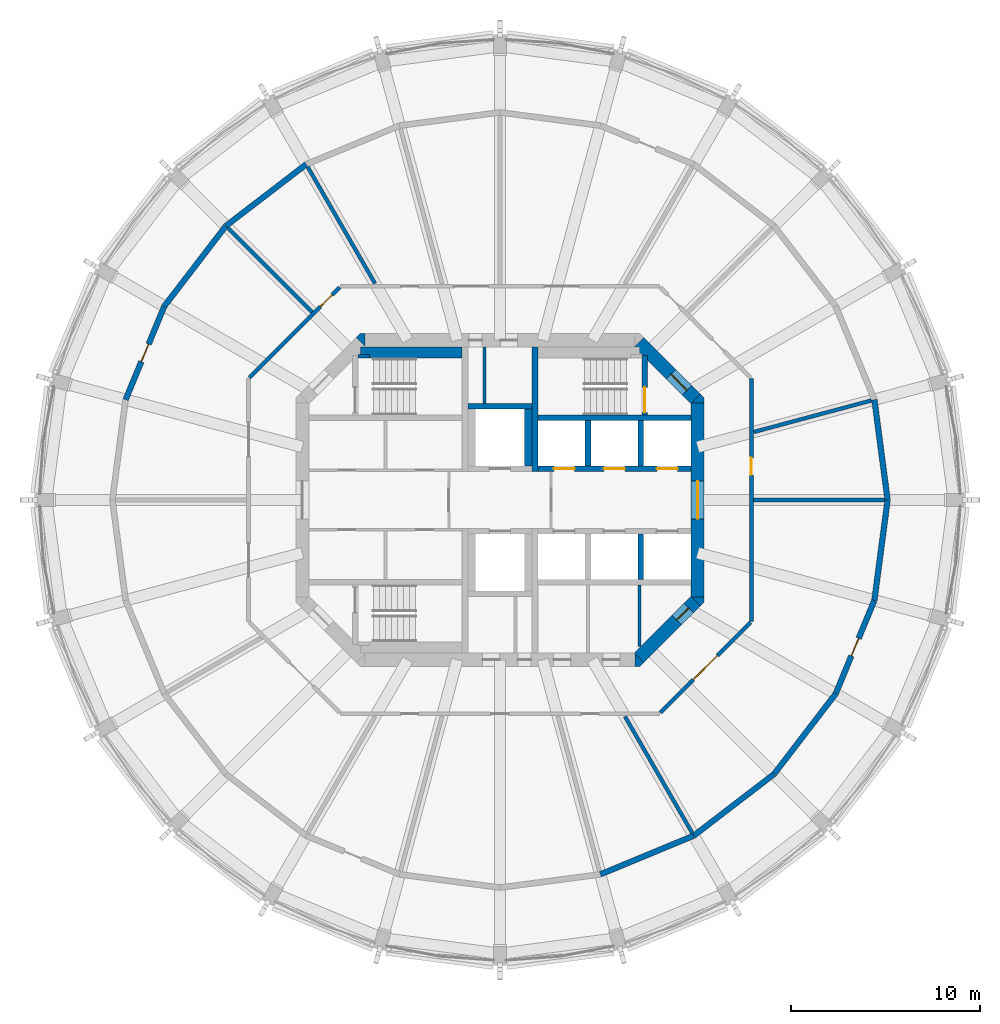
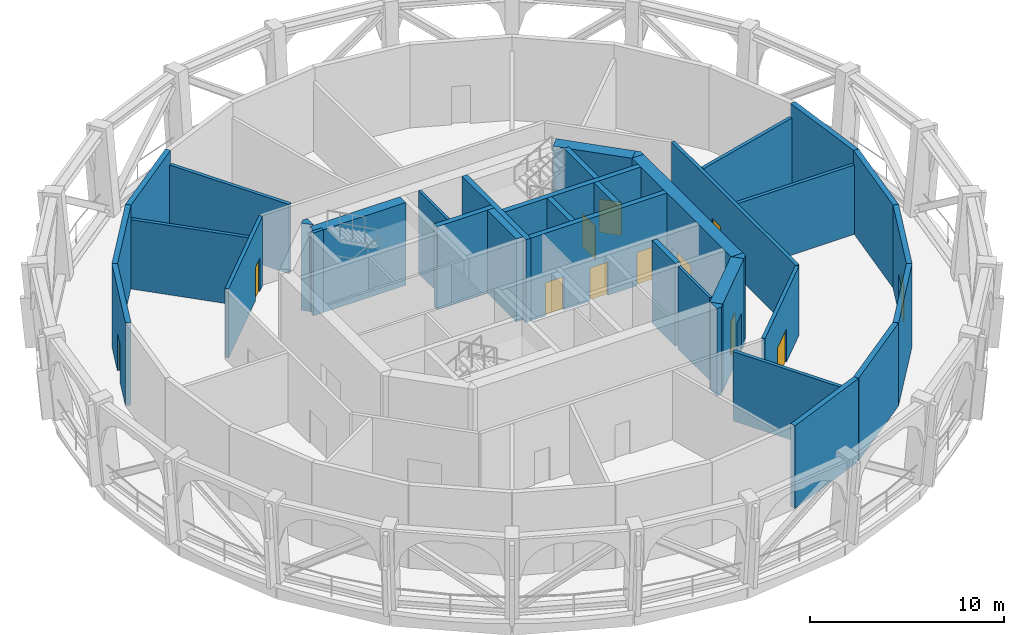
# One storey, part 5 of 9: 37 walls, 12 doors, 12 openings.
"""IFC4 building model written with IfcOpenShell, lengths in metres."""

from ifc_helpers import new_model, si_unit, direction, frame, frame_2d, origin, place, context, subcontext, project, spatial, polyline, rectangle, outline, extrude, material, layer, layer_set, type_object, element, fill, save


model = new_model("IFC4")

# Units and contexts
model_context = context("Model", 3, precision=1e-05, world=origin(), true_north=direction((0.0, 1.0)))
body_context = subcontext(model_context, "Body", "Model", "MODEL_VIEW")
ifc_project = project(units=[si_unit("LENGTHUNIT", "METRE"), si_unit("AREAUNIT", "SQUARE_METRE"), si_unit("VOLUMEUNIT", "CUBIC_METRE"), si_unit("PLANEANGLEUNIT", "RADIAN"), si_unit("MASSUNIT", "GRAM", prefix="KILO")], contexts=[model_context])

# Site, building, storey
site_placement = place(None, origin())
site = spatial("IfcSite", under=ifc_project, at=site_placement, CompositionType="ELEMENT")
building_placement = place(site_placement, origin())
building = spatial("IfcBuilding", under=site, at=building_placement, Name="Torre Triforio", CompositionType="ELEMENT")
storey_placement = place(building_placement, frame((0.0, 0.0, 248.300048828125)))
storey = spatial("IfcBuildingStorey", under=building, at=storey_placement, Name="L57", CompositionType="ELEMENT", Elevation=248.300048828125)

# Wall
ifc_material_1 = material(Name="Concrete C50", Category="concrete")
ifc_layer_1 = layer(ifc_material_1, 0.300048828125)
ifc_layer_set_1 = layer_set([ifc_layer_1], Name="Concrete C50")
wall_type_1 = type_object("IfcWallType", Name="Core wall 300 mm C50 EI 120", PredefinedType="SHEAR", material=ifc_layer_set_1)
wall_1_placement = place(storey_placement, frame((1.85009765625, 1.5, 0.0), z_axis=(0.0, 0.0, 1.0), x_axis=(0.0, 1.0, 0.0)))
element("IfcWall", 1, at=wall_1_placement, inside=storey, type_object=wall_type_1, Name="Core wall", PredefinedType="SHEAR", context=body_context, shape_type="SweptSolid", body=[
    extrude(rectangle(XDim=6.60009765625, YDim=0.300048828125, at=frame_2d((3.300048828125, 0.0))), origin(), (0.0, 0.0, 1.0), 5.219970703125),
])

# Wall, opening, door
ifc_layer_2 = layer(ifc_material_1, 0.699951171875)
ifc_layer_set_2 = layer_set([ifc_layer_2], Name="Concrete C50")
wall_type_2 = type_object("IfcWallType", Name="Core wall 700 mm C50 EI 120", PredefinedType="SHEAR", material=ifc_layer_set_2)
wall_2_placement = place(storey_placement, frame((10.449951171875, -5.1298828125, -0.280029296875), z_axis=(0.0, 0.0, 1.0), x_axis=(0.0, 1.0, 0.0)))
wall_2 = element("IfcWall", 2, at=wall_2_placement, inside=storey, type_object=wall_type_2, Name="Core wall", PredefinedType="SHEAR", context=body_context, shape_type="SweptSolid", body=[
    extrude(rectangle(XDim=10.259765625, YDim=0.699951171875, at=frame_2d((5.1298828125, 0.0))), origin(), (0.0, 0.0, 1.0), 5.5),
])
opening_1_placement = place(wall_2_placement, frame((4.1298828125, 0.0, 0.280029296875)))
opening_1 = element("IfcOpeningElement", 3, at=opening_1_placement, cuts=wall_2, Name="Opening E-RING", PredefinedType="OPENING", context=body_context, shape_type="SweptSolid", body=[
    extrude(rectangle(XDim=2.0, YDim=2.10009765625, at=frame_2d((1.0, 1.050048828125))), frame((0.0, 0.35986328125, 0.0), z_axis=(0.0, -1.0, 0.0), x_axis=(1.0, 0.0, 0.0)), (0.0, 0.0, 1.0), 0.719970703125),
])
ifc_material_2 = material(Name="Hollow metal fire door leaf")
door_type_1 = type_object("IfcDoorType", Name="Lobby door 2000 x 2100 EI 60", OperationType="DOUBLE_DOOR_SINGLE_SWING", PredefinedType="DOOR", material=ifc_material_2)
door_1_placement = place(opening_1_placement, origin())
door_1 = element("IfcDoor", 4, at=door_1_placement, inside=storey, type_object=door_type_1, Name="Core door E-RING", OperationType="DOUBLE_DOOR_SINGLE_SWING", OverallHeight=2.10009765625, OverallWidth=2.0, PredefinedType="DOOR", context=body_context, shape_type="SweptSolid", body=[
    extrude(rectangle(XDim=2.0, YDim=2.10009765625, at=frame_2d((1.0, 1.050048828125))), frame((0.0, 0.02490234375, 0.0), z_axis=(0.0, -1.0, 0.0), x_axis=(1.0, 0.0, 0.0)), (0.0, 0.0, 1.0), 0.050048828125),
])
fill(opening_1, door_1)

wall_3_placement = place(storey_placement, frame((7.347412109375, 8.347412109375, -0.280029296875), z_axis=(0.0, 0.0, 1.0), x_axis=(0.707106781187, -0.707106781187, 0.0)))
wall_3 = element("IfcWall", 5, at=wall_3_placement, inside=storey, type_object=wall_type_2, Name="Core wall", PredefinedType="SHEAR", context=body_context, shape_type="SweptSolid", body=[
    extrude(rectangle(XDim=4.24267578125, YDim=0.699951171875, at=frame_2d((2.121337890625, 0.0))), origin(), (0.0, 0.0, 1.0), 5.5),
])
opening_2_placement = place(wall_3_placement, frame((2.392578125, 0.0, 0.280029296875)))
opening_2 = element("IfcOpeningElement", 6, at=opening_2_placement, cuts=wall_3, Name="Opening ST2-EXIT", PredefinedType="OPENING", context=body_context, shape_type="SweptSolid", body=[
    extrude(rectangle(XDim=1.199951171875, YDim=2.10009765625, at=frame_2d((0.60009765625, 1.050048828125))), frame((0.0, 0.35986328125, 0.0), z_axis=(0.0, -1.0, 0.0), x_axis=(1.0, 0.0, 0.0)), (0.0, 0.0, 1.0), 0.719970703125),
])
door_type_2 = type_object("IfcDoorType", Name="Stair lobby door 1200 x 2100 EI 60", OperationType="NOTDEFINED", PredefinedType="DOOR", material=ifc_material_2)
door_2_placement = place(opening_2_placement, origin())
door_2 = element("IfcDoor", 7, at=door_2_placement, inside=storey, type_object=door_type_2, Name="Core door ST2-EXIT", OperationType="SINGLE_SWING_RIGHT", OverallHeight=2.10009765625, OverallWidth=1.199951171875, PredefinedType="DOOR", context=body_context, shape_type="SweptSolid", body=[
    extrude(rectangle(XDim=1.199951171875, YDim=2.10009765625, at=frame_2d((0.60009765625, 1.050048828125))), frame((0.0, 0.02490234375, 0.0), z_axis=(0.0, -1.0, 0.0), x_axis=(1.0, 0.0, 0.0)), (0.0, 0.0, 1.0), 0.050048828125),
])
fill(opening_2, door_2)

wall_4_placement = place(storey_placement, frame((10.347412109375, -5.347412109375, -0.280029296875), z_axis=(0.0, 0.0, 1.0), x_axis=(-0.707106781187, -0.707106781187, 0.0)))
wall_4 = element("IfcWall", 8, at=wall_4_placement, inside=storey, type_object=wall_type_2, Name="Core wall", PredefinedType="SHEAR", context=body_context, shape_type="SweptSolid", body=[
    extrude(rectangle(XDim=4.24267578125, YDim=0.699951171875, at=frame_2d((2.121337890625, 0.0))), origin(), (0.0, 0.0, 1.0), 5.5),
])
opening_3_placement = place(wall_4_placement, frame((0.52001953125, 0.0, 0.280029296875)))
opening_3 = element("IfcOpeningElement", 9, at=opening_3_placement, cuts=wall_4, Name="Opening SE-03A", PredefinedType="OPENING", context=body_context, shape_type="SweptSolid", body=[
    extrude(rectangle(XDim=0.89990234375, YDim=2.10009765625, at=frame_2d((0.449951171875, 1.050048828125))), frame((0.0, 0.35986328125, 0.0), z_axis=(0.0, -1.0, 0.0), x_axis=(1.0, 0.0, 0.0)), (0.0, 0.0, 1.0), 0.719970703125),
])
door_type_3 = type_object("IfcDoorType", Name="Plant room door 900 x 2100 EI 60", OperationType="NOTDEFINED", PredefinedType="DOOR", material=ifc_material_2)
door_3_placement = place(opening_3_placement, origin())
door_3 = element("IfcDoor", 10, at=door_3_placement, inside=storey, type_object=door_type_3, Name="Core door SE-03", OperationType="SINGLE_SWING_RIGHT", OverallHeight=2.10009765625, OverallWidth=0.89990234375, PredefinedType="DOOR", context=body_context, shape_type="SweptSolid", body=[
    extrude(rectangle(XDim=0.89990234375, YDim=2.10009765625, at=frame_2d((0.449951171875, 1.050048828125))), frame((0.0, 0.02490234375, 0.0), z_axis=(0.0, -1.0, 0.0), x_axis=(1.0, 0.0, 0.0)), (0.0, 0.0, 1.0), 0.050048828125),
])
fill(opening_3, door_3)

# Walls
wall_5_placement = place(storey_placement, frame((0.0, 0.0, -0.280029296875)))
element("IfcWall", 11, at=wall_5_placement, inside=storey, type_object=wall_type_2, Name="Core wall", PredefinedType="SHEAR", context=body_context, shape_type="SweptSolid", body=[
    extrude(outline(polyline([(7.389892578125, -8.800048828125), (7.1298828125, -8.800048828125), (7.1298828125, -8.800048828125), (7.1298828125, -8.1298828125), (7.594970703125, -8.594970703125), (7.594970703125, -8.594970703125), (7.594970703125, -8.594970703125), (7.389892578125, -8.800048828125)])), origin(), (0.0, 0.0, 1.0), 5.5),
])
wall_6_placement = place(storey_placement, frame((0.0, 0.0, -0.280029296875)))
element("IfcWall", 12, at=wall_6_placement, inside=storey, type_object=wall_type_2, Name="Core wall", PredefinedType="SHEAR", context=body_context, shape_type="SweptSolid", body=[
    extrude(outline(polyline([(10.800048828125, -5.389892578125), (10.594970703125, -5.594970703125), (10.594970703125, -5.594970703125), (10.594970703125, -5.594970703125), (10.1298828125, -5.1298828125), (10.800048828125, -5.1298828125), (10.800048828125, -5.1298828125), (10.800048828125, -5.389892578125)])), origin(), (0.0, 0.0, 1.0), 5.5),
])
wall_7_placement = place(storey_placement, frame((0.0, 0.0, -0.280029296875)))
element("IfcWall", 13, at=wall_7_placement, inside=storey, type_object=wall_type_2, Name="Core wall", PredefinedType="SHEAR", context=body_context, shape_type="SweptSolid", body=[
    extrude(outline(polyline([(10.800048828125, 5.389892578125), (10.800048828125, 5.1298828125), (10.800048828125, 5.1298828125), (10.1298828125, 5.1298828125), (10.594970703125, 5.594970703125), (10.594970703125, 5.594970703125), (10.594970703125, 5.594970703125), (10.800048828125, 5.389892578125)])), origin(), (0.0, 0.0, 1.0), 5.5),
])
wall_8_placement = place(storey_placement, frame((0.0, 0.0, -0.280029296875)))
element("IfcWall", 14, at=wall_8_placement, inside=storey, type_object=wall_type_2, Name="Core wall", PredefinedType="SHEAR", context=body_context, shape_type="SweptSolid", body=[
    extrude(outline(polyline([(-7.389892578125, 8.800048828125), (-7.1298828125, 8.800048828125), (-7.1298828125, 8.800048828125), (-7.1298828125, 8.1298828125), (-7.594970703125, 8.594970703125), (-7.594970703125, 8.594970703125), (-7.594970703125, 8.594970703125), (-7.389892578125, 8.800048828125)])), origin(), (0.0, 0.0, 1.0), 5.5),
])
ifc_material_3 = material(Name="Aluminium louvre blades", Category="aluminium")
ifc_layer_3 = layer(ifc_material_3, 0.300048828125)
ifc_layer_set_3 = layer_set([ifc_layer_3], Name="Aluminium louvre blades")
wall_type_3 = type_object("IfcWallType", Name="Louvred enclosure wall 300", PredefinedType="STANDARD", material=ifc_layer_set_3)
wall_9_placement = place(storey_placement, frame((20.5, 0.0, 0.0), z_axis=(0.0, 0.0, 1.0), x_axis=(-0.130517056518, 0.991446064069, 0.0)))
element("IfcWall", 15, at=wall_9_placement, inside=storey, type_object=wall_type_3, Name="Louvred enclosure L57 bay 01", PredefinedType="STANDARD", context=body_context, shape_type="SweptSolid", body=[
    extrude(rectangle(XDim=5.351806640625, YDim=0.300048828125, at=frame_2d((2.67578125, 0.0))), origin(), (0.0, 0.0, 1.0), 5.219970703125),
])
for number, where, z_axis, x_axis, name in (
    (16, (-10.25, 17.75341796875, 0.0), (0.0, 0.0, 1.0), (-0.793349293227, -0.60876670321, 0.0), "Louvred enclosure L57 bay 09"),
    (17, (-14.49560546875, 14.49560546875, 0.0), (0.0, 0.0, 1.0), (-0.60876670321, -0.793349293227, 0.0), "Louvred enclosure L57 bay 10"),
):
    element("IfcWall", number, at=place(storey_placement, frame(where, z_axis=z_axis, x_axis=x_axis)), inside=storey, type_object=wall_type_3, Name=name, PredefinedType="STANDARD", context=body_context, shape_type="SweptSolid", body=[
        extrude(rectangle(XDim=5.3515625, YDim=0.300048828125, at=frame_2d((2.67578125, 0.0))), origin(), (0.0, 0.0, 1.0), 5.219970703125),
    ])

# Wall, opening, door
wall_10_placement = place(storey_placement, frame((-17.75341796875, 10.25, 0.0), z_axis=(0.0, 0.0, 1.0), x_axis=(-0.382713071139, -0.923867255172, 0.0)))
wall_10 = element("IfcWall", 18, at=wall_10_placement, inside=storey, type_object=wall_type_3, Name="Louvred enclosure L57 bay 11", PredefinedType="STANDARD", context=body_context, shape_type="SweptSolid", body=[
    extrude(rectangle(XDim=5.3515625, YDim=0.300048828125, at=frame_2d((2.67578125, 0.0))), origin(), (0.0, 0.0, 1.0), 5.219970703125),
])
opening_4_placement = place(wall_10_placement, frame((2.17578125, 0.0, 0.0)))
opening_4 = element("IfcOpeningElement", 19, at=opening_4_placement, cuts=wall_10, Name="Opening PL3-D11", PredefinedType="OPENING", context=body_context, shape_type="SweptSolid", body=[
    extrude(rectangle(XDim=1.0, YDim=2.39990234375, at=frame_2d((0.5, 1.199951171875))), frame((0.0, 0.159912109375, 0.0), z_axis=(0.0, -1.0, 0.0), x_axis=(1.0, 0.0, 0.0)), (0.0, 0.0, 1.0), 0.320068359375),
])
ifc_material_4 = material(Name="Galvanised hollow metal louvred door")
door_type_4 = type_object("IfcDoorType", Name="Deck service door 1000 x 2400", OperationType="NOTDEFINED", PredefinedType="DOOR", material=ifc_material_4)
door_4_placement = place(opening_4_placement, origin())
door_4 = element("IfcDoor", 20, at=door_4_placement, inside=storey, type_object=door_type_4, Name="Deck service door L57 bay 11", OperationType="SINGLE_SWING_LEFT", OverallHeight=2.39990234375, OverallWidth=1.0, PredefinedType="DOOR", context=body_context, shape_type="SweptSolid", body=[
    extrude(rectangle(XDim=1.0, YDim=2.39990234375, at=frame_2d((0.5, 1.199951171875))), frame((0.0, 0.02490234375, 0.0), z_axis=(0.0, -1.0, 0.0), x_axis=(1.0, 0.0, 0.0)), (0.0, 0.0, 1.0), 0.050048828125),
])
fill(opening_4, door_4)

# Walls
for number, where, z_axis, x_axis, name in (
    (21, (5.305908203125, -19.801513671875, 0.0), (0.0, 0.0, 1.0), (0.923867255172, 0.382713071139, 0.0), "Louvred enclosure L57 bay 20"),
    (22, (10.25, -17.75341796875, 0.0), (0.0, 0.0, 1.0), (0.793349293227, 0.60876670321, 0.0), "Louvred enclosure L57 bay 21"),
    (23, (14.49560546875, -14.49560546875, 0.0), (0.0, 0.0, 1.0), (0.60876670321, 0.793349293227, 0.0), "Louvred enclosure L57 bay 22"),
):
    element("IfcWall", number, at=place(storey_placement, frame(where, z_axis=z_axis, x_axis=x_axis)), inside=storey, type_object=wall_type_3, Name=name, PredefinedType="STANDARD", context=body_context, shape_type="SweptSolid", body=[
        extrude(rectangle(XDim=5.3515625, YDim=0.300048828125, at=frame_2d((2.67578125, 0.0))), origin(), (0.0, 0.0, 1.0), 5.219970703125),
    ])

# Wall, opening, door
wall_11_placement = place(storey_placement, frame((17.75341796875, -10.25, 0.0), z_axis=(0.0, 0.0, 1.0), x_axis=(0.382713071139, 0.923867255172, 0.0)))
wall_11 = element("IfcWall", 24, at=wall_11_placement, inside=storey, type_object=wall_type_3, Name="Louvred enclosure L57 bay 23", PredefinedType="STANDARD", context=body_context, shape_type="SweptSolid", body=[
    extrude(rectangle(XDim=5.3515625, YDim=0.300048828125, at=frame_2d((2.67578125, 0.0))), origin(), (0.0, 0.0, 1.0), 5.219970703125),
])
opening_5_placement = place(wall_11_placement, frame((2.17578125, 0.0, 0.0)))
opening_5 = element("IfcOpeningElement", 25, at=opening_5_placement, cuts=wall_11, Name="Opening PL3-D23", PredefinedType="OPENING", context=body_context, shape_type="SweptSolid", body=[
    extrude(rectangle(XDim=1.0, YDim=2.39990234375, at=frame_2d((0.5, 1.199951171875))), frame((0.0, 0.159912109375, 0.0), z_axis=(0.0, -1.0, 0.0), x_axis=(1.0, 0.0, 0.0)), (0.0, 0.0, 1.0), 0.320068359375),
])
door_5_placement = place(opening_5_placement, origin())
door_5 = element("IfcDoor", 26, at=door_5_placement, inside=storey, type_object=door_type_4, Name="Deck service door L57 bay 23", OperationType="SINGLE_SWING_LEFT", OverallHeight=2.39990234375, OverallWidth=1.0, PredefinedType="DOOR", context=body_context, shape_type="SweptSolid", body=[
    extrude(rectangle(XDim=1.0, YDim=2.39990234375, at=frame_2d((0.5, 1.199951171875))), frame((0.0, 0.02490234375, 0.0), z_axis=(0.0, -1.0, 0.0), x_axis=(1.0, 0.0, 0.0)), (0.0, 0.0, 1.0), 0.050048828125),
])
fill(opening_5, door_5)

# Walls
wall_12_placement = place(storey_placement, frame((19.801513671875, -5.305908203125, 0.0), z_axis=(0.0, 0.0, 1.0), x_axis=(0.130517056518, 0.991446064069, 0.0)))
element("IfcWall", 27, at=wall_12_placement, inside=storey, type_object=wall_type_3, Name="Louvred enclosure L57 bay 24", PredefinedType="STANDARD", context=body_context, shape_type="SweptSolid", body=[
    extrude(rectangle(XDim=5.351806640625, YDim=0.300048828125, at=frame_2d((2.67578125, 0.0))), origin(), (0.0, 0.0, 1.0), 5.219970703125),
])
ifc_material_5 = material(Name="Block and board partition")
ifc_layer_4 = layer(ifc_material_5, 0.14990234375)
ifc_layer_set_4 = layer_set([ifc_layer_4], Name="Block and board partition")
wall_type_4 = type_object("IfcWallType", Name="Partition 150 mm", PredefinedType="PARTITIONING", material=ifc_layer_set_4)
wall_13_placement = place(storey_placement, frame((7.373046875, -7.751953125, 0.0), z_axis=(0.0, 0.0, 1.0), x_axis=(0.0, 1.0, 0.0)))
element("IfcWall", 28, at=wall_13_placement, inside=storey, type_object=wall_type_4, Name="Partition", PredefinedType="PARTITIONING", context=body_context, shape_type="SweptSolid", body=[
    extrude(rectangle(XDim=3.251953125, YDim=0.14990234375, at=frame_2d((1.6259765625, 0.0))), origin(), (0.0, 0.0, 1.0), 5.219970703125),
])
ifc_layer_5 = layer(ifc_material_5, 0.14990234375)
ifc_layer_set_5 = layer_set([ifc_layer_5], Name="Block and board partition")
wall_type_5 = type_object("IfcWallType", Name="Partition 150 mm EI 120", PredefinedType="PARTITIONING", material=ifc_layer_set_5)
wall_14_placement = place(storey_placement, frame((-0.824951171875, 5.10009765625, 0.0), z_axis=(0.0, 0.0, 1.0), x_axis=(0.0, 1.0, 0.0)))
element("IfcWall", 29, at=wall_14_placement, inside=storey, type_object=wall_type_5, Name="Partition", PredefinedType="PARTITIONING", context=body_context, shape_type="SweptSolid", body=[
    extrude(rectangle(XDim=3.0, YDim=0.14990234375, at=frame_2d((1.5, 0.0))), origin(), (0.0, 0.0, 1.0), 5.219970703125),
])

# Wall, opening, door
ifc_material_6 = material(Name="Masonry block", Category="masonry")
ifc_layer_6 = layer(ifc_material_6, 0.199951171875)
ifc_layer_set_6 = layer_set([ifc_layer_6], Name="Masonry block")
wall_type_6 = type_object("IfcWallType", Name="Plant room wall 200 mm block EI 120", PredefinedType="PARTITIONING", material=ifc_layer_set_6)
wall_15_placement = place(storey_placement, frame((13.25048828125, -6.47509765625, 0.0), z_axis=(0.0, 0.0, 1.0), x_axis=(-0.707106781187, -0.707106781187, 0.0)))
wall_15 = element("IfcWall", 30, at=wall_15_placement, inside=storey, type_object=wall_type_6, Name="Partition 1", PredefinedType="PARTITIONING", context=body_context, shape_type="SweptSolid", body=[
    extrude(rectangle(XDim=6.75341796875, YDim=0.199951171875, at=frame_2d((3.376708984375, 0.0))), origin(), (0.0, 0.0, 1.0), 4.369873046875),
])
opening_6_placement = place(wall_15_placement, frame((2.476806640625, 0.0, 0.0)))
opening_6 = element("IfcOpeningElement", 31, at=opening_6_placement, cuts=wall_15, Name="Opening PL3-07", PredefinedType="OPENING", context=body_context, shape_type="SweptSolid", body=[
    extrude(rectangle(XDim=1.800048828125, YDim=2.10009765625, at=frame_2d((0.89990234375, 1.050048828125))), frame((0.0, 0.10986328125, 0.0), z_axis=(0.0, -1.0, 0.0), x_axis=(1.0, 0.0, 0.0)), (0.0, 0.0, 1.0), 0.219970703125),
])
door_type_5 = type_object("IfcDoorType", Name="Door 1800 x 2100 double leaf EI 60", OperationType="DOUBLE_DOOR_SINGLE_SWING", PredefinedType="DOOR", material=ifc_material_2)
door_6_placement = place(opening_6_placement, origin())
door_6 = element("IfcDoor", 32, at=door_6_placement, inside=storey, type_object=door_type_5, Name="Door PL3-07", OperationType="DOUBLE_DOOR_SINGLE_SWING", OverallHeight=2.10009765625, OverallWidth=1.800048828125, PredefinedType="DOOR", context=body_context, shape_type="SweptSolid", body=[
    extrude(rectangle(XDim=1.800048828125, YDim=2.10009765625, at=frame_2d((0.89990234375, 1.050048828125))), frame((0.0, 0.02490234375, 0.0), z_axis=(0.0, -1.0, 0.0), x_axis=(1.0, 0.0, 0.0)), (0.0, 0.0, 1.0), 0.050048828125),
])
fill(opening_6, door_6)

wall_16_placement = place(storey_placement, frame((-13.25048828125, 6.47509765625, 0.0), z_axis=(0.0, 0.0, 1.0), x_axis=(0.707106781187, 0.707106781187, 0.0)))
wall_16 = element("IfcWall", 33, at=wall_16_placement, inside=storey, type_object=wall_type_6, Name="Partition 5", PredefinedType="PARTITIONING", context=body_context, shape_type="SweptSolid", body=[
    extrude(rectangle(XDim=6.75341796875, YDim=0.199951171875, at=frame_2d((3.376708984375, 0.0))), origin(), (0.0, 0.0, 1.0), 4.369873046875),
])
opening_7_placement = place(wall_16_placement, frame((5.29736328125, 0.0, 0.0)))
opening_7 = element("IfcOpeningElement", 34, at=opening_7_placement, cuts=wall_16, Name="Opening PL3-14", PredefinedType="OPENING", context=body_context, shape_type="SweptSolid", body=[
    extrude(rectangle(XDim=0.89990234375, YDim=2.10009765625, at=frame_2d((0.449951171875, 1.050048828125))), frame((0.0, 0.10986328125, 0.0), z_axis=(0.0, -1.0, 0.0), x_axis=(1.0, 0.0, 0.0)), (0.0, 0.0, 1.0), 0.219970703125),
])
door_type_6 = type_object("IfcDoorType", Name="Door 900 x 2100 single leaf EI 60", OperationType="NOTDEFINED", PredefinedType="DOOR", material=ifc_material_2)
door_7_placement = place(opening_7_placement, origin())
door_7 = element("IfcDoor", 35, at=door_7_placement, inside=storey, type_object=door_type_6, Name="Door PL3-14", OperationType="SINGLE_SWING_LEFT", OverallHeight=2.10009765625, OverallWidth=0.89990234375, PredefinedType="DOOR", context=body_context, shape_type="SweptSolid", body=[
    extrude(rectangle(XDim=0.89990234375, YDim=2.10009765625, at=frame_2d((0.449951171875, 1.050048828125))), frame((0.0, 0.02490234375, 0.0), z_axis=(0.0, -1.0, 0.0), x_axis=(1.0, 0.0, 0.0)), (0.0, 0.0, 1.0), 0.050048828125),
])
fill(opening_7, door_7)

wall_17_placement = place(storey_placement, frame((13.300048828125, 6.425537109375, 0.0), z_axis=(0.0, 0.0, 1.0), x_axis=(0.0, -1.0, 0.0)))
wall_17 = element("IfcWall", 36, at=wall_17_placement, inside=storey, type_object=wall_type_6, Name="Partition 8", PredefinedType="PARTITIONING", context=body_context, shape_type="SweptSolid", body=[
    extrude(rectangle(XDim=12.85107421875, YDim=0.199951171875, at=frame_2d((6.425537109375, 0.0))), origin(), (0.0, 0.0, 1.0), 4.369873046875),
])
opening_8_placement = place(wall_17_placement, frame((4.192626953125, 0.0, 0.0)))
opening_8 = element("IfcOpeningElement", 37, at=opening_8_placement, cuts=wall_17, Name="Opening PL3-08", PredefinedType="OPENING", context=body_context, shape_type="SweptSolid", body=[
    extrude(rectangle(XDim=0.89990234375, YDim=2.10009765625, at=frame_2d((0.449951171875, 1.050048828125))), frame((0.0, 0.10986328125, 0.0), z_axis=(0.0, -1.0, 0.0), x_axis=(1.0, 0.0, 0.0)), (0.0, 0.0, 1.0), 0.219970703125),
])
door_8_placement = place(opening_8_placement, origin())
door_8 = element("IfcDoor", 38, at=door_8_placement, inside=storey, type_object=door_type_6, Name="Door PL3-08", OperationType="SINGLE_SWING_LEFT", OverallHeight=2.10009765625, OverallWidth=0.89990234375, PredefinedType="DOOR", context=body_context, shape_type="SweptSolid", body=[
    extrude(rectangle(XDim=0.89990234375, YDim=2.10009765625, at=frame_2d((0.449951171875, 1.050048828125))), frame((0.0, 0.02490234375, 0.0), z_axis=(0.0, -1.0, 0.0), x_axis=(1.0, 0.0, 0.0)), (0.0, 0.0, 1.0), 0.050048828125),
])
fill(opening_8, door_8)

# Walls
wall_18_placement = place(storey_placement, frame((13.39990234375, 0.0, 0.0), z_axis=(0.0, 0.0, 1.0), x_axis=(1.0, 0.0, 0.0)))
element("IfcWall", 39, at=wall_18_placement, inside=storey, type_object=wall_type_6, Name="Partition 9", PredefinedType="PARTITIONING", context=body_context, shape_type="SweptSolid", body=[
    extrude(rectangle(XDim=6.936767578125, YDim=0.199951171875, at=frame_2d((3.46826171875, 0.0))), origin(), (0.0, 0.0, 1.0), 4.369873046875),
])
wall_19_placement = place(storey_placement, frame((13.425537109375, 3.597412109375, 0.0), z_axis=(0.0, 0.0, 1.0), x_axis=(0.965932139747, 0.258795481807, 0.0)))
element("IfcWall", 40, at=wall_19_placement, inside=storey, type_object=wall_type_6, Name="Partition 10", PredefinedType="PARTITIONING", context=body_context, shape_type="SweptSolid", body=[
    extrude(rectangle(XDim=6.4375, YDim=0.199951171875, at=frame_2d((3.21875, 0.0))), origin(), (0.0, 0.0, 1.0), 4.369873046875),
])
wall_20_placement = place(storey_placement, frame((-6.6103515625, 11.449462890625, 0.0), z_axis=(0.0, 0.0, 1.0), x_axis=(-0.500013496215, 0.866017611601, 0.0)))
element("IfcWall", 41, at=wall_20_placement, inside=storey, type_object=wall_type_6, Name="Partition 15", PredefinedType="PARTITIONING", context=body_context, shape_type="SweptSolid", body=[
    extrude(rectangle(XDim=7.115966796875, YDim=0.199951171875, at=frame_2d((3.55810546875, 0.0))), origin(), (0.0, 0.0, 1.0), 4.369873046875),
])
wall_21_placement = place(storey_placement, frame((-9.93359375, 9.93359375, 0.0), z_axis=(0.0, 0.0, 1.0), x_axis=(-0.707106781187, 0.707106781187, 0.0)))
element("IfcWall", 42, at=wall_21_placement, inside=storey, type_object=wall_type_6, Name="Partition 16", PredefinedType="PARTITIONING", context=body_context, shape_type="SweptSolid", body=[
    extrude(rectangle(XDim=6.288330078125, YDim=0.199951171875, at=frame_2d((3.14404296875, 0.0))), origin(), (0.0, 0.0, 1.0), 4.369873046875),
])
wall_22_placement = place(storey_placement, frame((6.6103515625, -11.449462890625, 0.0), z_axis=(0.0, 0.0, 1.0), x_axis=(0.500013496215, -0.866017611601, 0.0)))
element("IfcWall", 43, at=wall_22_placement, inside=storey, type_object=wall_type_6, Name="Partition 22", PredefinedType="PARTITIONING", context=body_context, shape_type="SweptSolid", body=[
    extrude(rectangle(XDim=7.115966796875, YDim=0.199951171875, at=frame_2d((3.55810546875, 0.0))), origin(), (0.0, 0.0, 1.0), 4.369873046875),
])
ifc_layer_7 = layer(ifc_material_1, 0.300048828125)
ifc_layer_set_7 = layer_set([ifc_layer_7], Name="Concrete C50")
wall_type_7 = type_object("IfcWallType", Name="Shaft wall 300 mm C50 EI 120", PredefinedType="SOLIDWALL", material=ifc_layer_set_7)
wall_23_placement = place(storey_placement, frame((2.0, 4.35009765625, 0.0), z_axis=(0.0, 0.0, 1.0), x_axis=(1.0, 0.0, 0.0)))
element("IfcWall", 44, at=wall_23_placement, inside=storey, type_object=wall_type_7, Name="Shaft wall", PredefinedType="SOLIDWALL", context=body_context, shape_type="SweptSolid", body=[
    extrude(rectangle(XDim=8.10009765625, YDim=0.300048828125, at=frame_2d((4.050048828125, 0.0))), origin(), (0.0, 0.0, 1.0), 5.219970703125),
])

# Wall, openings, doors
wall_24_placement = place(storey_placement, frame((2.0, 1.64990234375, 0.0), z_axis=(0.0, 0.0, 1.0), x_axis=(1.0, 0.0, 0.0)))
wall_24 = element("IfcWall", 45, at=wall_24_placement, inside=storey, type_object=wall_type_7, Name="Shaft wall", PredefinedType="SOLIDWALL", context=body_context, shape_type="SweptSolid", body=[
    extrude(rectangle(XDim=8.10009765625, YDim=0.300048828125, at=frame_2d((4.050048828125, 0.0))), origin(), (0.0, 0.0, 1.0), 5.219970703125),
])
opening_9_placement = place(wall_24_placement, frame((0.85009765625, 0.0, 0.0)))
opening_9 = element("IfcOpeningElement", 46, at=opening_9_placement, cuts=wall_24, Name="Opening LD", PredefinedType="OPENING", context=body_context, shape_type="SweptSolid", body=[
    extrude(rectangle(XDim=1.10009765625, YDim=2.10009765625, at=frame_2d((0.550048828125, 1.050048828125))), frame((0.0, 0.159912109375, 0.0), z_axis=(0.0, -1.0, 0.0), x_axis=(1.0, 0.0, 0.0)), (0.0, 0.0, 1.0), 0.320068359375),
])
opening_10_placement = place(wall_24_placement, frame((3.5, 0.0, 0.0)))
opening_10 = element("IfcOpeningElement", 47, at=opening_10_placement, cuts=wall_24, Name="Opening LD", PredefinedType="OPENING", context=body_context, shape_type="SweptSolid", body=[
    extrude(rectangle(XDim=1.10009765625, YDim=2.10009765625, at=frame_2d((0.550048828125, 1.050048828125))), frame((0.0, 0.159912109375, 0.0), z_axis=(0.0, -1.0, 0.0), x_axis=(1.0, 0.0, 0.0)), (0.0, 0.0, 1.0), 0.320068359375),
])
opening_11_placement = place(wall_24_placement, frame((6.300048828125, 0.0, 0.0)))
opening_11 = element("IfcOpeningElement", 48, at=opening_11_placement, cuts=wall_24, Name="Opening LD", PredefinedType="OPENING", context=body_context, shape_type="SweptSolid", body=[
    extrude(rectangle(XDim=1.10009765625, YDim=2.10009765625, at=frame_2d((0.550048828125, 1.050048828125))), frame((0.0, 0.159912109375, 0.0), z_axis=(0.0, -1.0, 0.0), x_axis=(1.0, 0.0, 0.0)), (0.0, 0.0, 1.0), 0.320068359375),
])
door_type_7 = type_object("IfcDoorType", Name="Landing door 1100 x 2100 EI 60", OperationType="DOUBLE_DOOR_SLIDING", PredefinedType="DOOR", material=ifc_material_2)
door_9_placement = place(opening_9_placement, origin())
door_9 = element("IfcDoor", 49, at=door_9_placement, inside=storey, type_object=door_type_7, Name="Landing door HR1", OperationType="DOUBLE_DOOR_SLIDING", OverallHeight=2.10009765625, OverallWidth=1.10009765625, PredefinedType="DOOR", context=body_context, shape_type="SweptSolid", body=[
    extrude(rectangle(XDim=1.10009765625, YDim=2.10009765625, at=frame_2d((0.550048828125, 1.050048828125))), frame((0.0, 0.02490234375, 0.0), z_axis=(0.0, -1.0, 0.0), x_axis=(1.0, 0.0, 0.0)), (0.0, 0.0, 1.0), 0.050048828125),
])
fill(opening_9, door_9)
door_10_placement = place(opening_10_placement, origin())
door_10 = element("IfcDoor", 50, at=door_10_placement, inside=storey, type_object=door_type_7, Name="Landing door HR2", OperationType="DOUBLE_DOOR_SLIDING", OverallHeight=2.10009765625, OverallWidth=1.10009765625, PredefinedType="DOOR", context=body_context, shape_type="SweptSolid", body=[
    extrude(rectangle(XDim=1.10009765625, YDim=2.10009765625, at=frame_2d((0.550048828125, 1.050048828125))), frame((0.0, 0.02490234375, 0.0), z_axis=(0.0, -1.0, 0.0), x_axis=(1.0, 0.0, 0.0)), (0.0, 0.0, 1.0), 0.050048828125),
])
fill(opening_10, door_10)
door_11_placement = place(opening_11_placement, origin())
door_11 = element("IfcDoor", 51, at=door_11_placement, inside=storey, type_object=door_type_7, Name="Landing door HR3", OperationType="DOUBLE_DOOR_SLIDING", OverallHeight=2.10009765625, OverallWidth=1.10009765625, PredefinedType="DOOR", context=body_context, shape_type="SweptSolid", body=[
    extrude(rectangle(XDim=1.10009765625, YDim=2.10009765625, at=frame_2d((0.550048828125, 1.050048828125))), frame((0.0, 0.02490234375, 0.0), z_axis=(0.0, -1.0, 0.0), x_axis=(1.0, 0.0, 0.0)), (0.0, 0.0, 1.0), 0.050048828125),
])
fill(opening_11, door_11)

# Walls
for number, where, z_axis, x_axis, name in (
    (52, (4.64990234375, 1.800048828125, 0.0), (0.0, 0.0, 1.0), (0.0, 1.0, 0.0), "Shaft wall"),
    (53, (7.449951171875, 1.800048828125, 0.0), (0.0, 0.0, 1.0), (0.0, 1.0, 0.0), "Shaft wall"),
    (54, (7.449951171875, -4.199951171875, 0.0), (0.0, 0.0, 1.0), (0.0, 1.0, 0.0), "Shaft wall"),
):
    element("IfcWall", number, at=place(storey_placement, frame(where, z_axis=z_axis, x_axis=x_axis)), inside=storey, type_object=wall_type_7, Name=name, PredefinedType="SOLIDWALL", context=body_context, shape_type="SweptSolid", body=[
        extrude(rectangle(XDim=2.39990234375, YDim=0.300048828125, at=frame_2d((1.199951171875, 0.0))), origin(), (0.0, 0.0, 1.0), 5.219970703125),
    ])
wall_25_placement = place(storey_placement, frame((-1.699951171875, 4.949951171875, 0.0), z_axis=(0.0, 0.0, 1.0), x_axis=(1.0, 0.0, 0.0)))
element("IfcWall", 55, at=wall_25_placement, inside=storey, type_object=wall_type_7, Name="Shaft wall", PredefinedType="SOLIDWALL", context=body_context, shape_type="SweptSolid", body=[
    extrude(rectangle(XDim=3.39990234375, YDim=0.300048828125, at=frame_2d((1.699951171875, 0.0))), origin(), (0.0, 0.0, 1.0), 5.219970703125),
])
ifc_layer_8 = layer(ifc_material_1, 0.39990234375)
ifc_layer_set_8 = layer_set([ifc_layer_8], Name="Concrete C50")
wall_type_8 = type_object("IfcWallType", Name="Shaft wall 400 mm C50 EI 120", PredefinedType="SOLIDWALL", material=ifc_layer_set_8)
wall_26_placement = place(storey_placement, frame((1.5, 1.800048828125, 0.0), z_axis=(0.0, 0.0, 1.0), x_axis=(0.0, 1.0, 0.0)))
element("IfcWall", 56, at=wall_26_placement, inside=storey, type_object=wall_type_8, Name="Shaft wall", PredefinedType="SOLIDWALL", context=body_context, shape_type="SweptSolid", body=[
    extrude(rectangle(XDim=3.0, YDim=0.39990234375, at=frame_2d((1.5, 0.0))), origin(), (0.0, 0.0, 1.0), 5.219970703125),
])
ifc_layer_9 = layer(ifc_material_1, 0.199951171875)
ifc_layer_set_9 = layer_set([ifc_layer_9], Name="Concrete C50")
wall_type_9 = type_object("IfcWallType", Name="Stair wall 200 mm C50 EI 120", PredefinedType="SHEAR", material=ifc_layer_set_9)
wall_27_placement = place(storey_placement, frame((-7.5, 7.60009765625, 0.0), z_axis=(0.0, 0.0, 1.0), x_axis=(1.0, 0.0, 0.0)))
element("IfcWall", 57, at=wall_27_placement, inside=storey, type_object=wall_type_9, Name="Stair wall", PredefinedType="SHEAR", context=body_context, shape_type="SweptSolid", body=[
    extrude(rectangle(XDim=0.60009765625, YDim=0.199951171875, at=frame_2d((0.300048828125, 0.0))), origin(), (0.0, 0.0, 1.0), 5.219970703125),
])

# Wall, opening, door
ifc_layer_10 = layer(ifc_material_1, 0.300048828125)
ifc_layer_set_10 = layer_set([ifc_layer_10], Name="Concrete C50")
wall_type_10 = type_object("IfcWallType", Name="Stair wall 300 mm C50 EI 120", PredefinedType="SHEAR", material=ifc_layer_set_10)
wall_28_placement = place(storey_placement, frame((7.64990234375, 4.5, 0.0), z_axis=(0.0, 0.0, 1.0), x_axis=(0.0, 1.0, 0.0)))
wall_28 = element("IfcWall", 58, at=wall_28_placement, inside=storey, type_object=wall_type_10, Name="Stair wall", PredefinedType="SHEAR", context=body_context, shape_type="SweptSolid", body=[
    extrude(rectangle(XDim=3.139892578125, YDim=0.300048828125, at=frame_2d((1.56982421875, 0.0))), origin(), (0.0, 0.0, 1.0), 5.219970703125),
])
opening_12_placement = place(wall_28_placement, frame((0.139892578125, 0.0, 0.0)))
opening_12 = element("IfcOpeningElement", 59, at=opening_12_placement, cuts=wall_28, Name="Opening ST2-STA", PredefinedType="OPENING", context=body_context, shape_type="SweptSolid", body=[
    extrude(rectangle(XDim=1.320068359375, YDim=2.10009765625, at=frame_2d((0.66015625, 1.050048828125))), frame((0.0, 0.159912109375, 0.0), z_axis=(0.0, -1.0, 0.0), x_axis=(1.0, 0.0, 0.0)), (0.0, 0.0, 1.0), 0.320068359375),
])
door_type_8 = type_object("IfcDoorType", Name="Stair door 1320 x 2100 EI 90", OperationType="DOUBLE_DOOR_SINGLE_SWING", PredefinedType="DOOR", material=ifc_material_2)
door_12_placement = place(opening_12_placement, origin())
door_12 = element("IfcDoor", 60, at=door_12_placement, inside=storey, type_object=door_type_8, Name="Core door ST2-ST", OperationType="DOUBLE_DOOR_SINGLE_SWING", OverallHeight=2.10009765625, OverallWidth=1.320068359375, PredefinedType="DOOR", context=body_context, shape_type="SweptSolid", body=[
    extrude(rectangle(XDim=1.320068359375, YDim=2.10009765625, at=frame_2d((0.66015625, 1.050048828125))), frame((0.0, 0.02490234375, 0.0), z_axis=(0.0, -1.0, 0.0), x_axis=(1.0, 0.0, 0.0)), (0.0, 0.0, 1.0), 0.050048828125),
])
fill(opening_12, door_12)

# Wall
ifc_layer_11 = layer(ifc_material_1, 0.60009765625)
ifc_layer_set_11 = layer_set([ifc_layer_11], Name="Concrete C50")
wall_type_11 = type_object("IfcWallType", Name="Stair wall 600 mm C50 EI 120", PredefinedType="SHEAR", material=ifc_layer_set_11)
wall_29_placement = place(storey_placement, frame((-7.3701171875, 7.800048828125, 0.0), z_axis=(0.0, 0.0, 1.0), x_axis=(1.0, 0.0, 0.0)))
element("IfcWall", 61, at=wall_29_placement, inside=storey, type_object=wall_type_11, Name="Stair wall", PredefinedType="SHEAR", context=body_context, shape_type="SweptSolid", body=[
    extrude(rectangle(XDim=5.3701171875, YDim=0.60009765625, at=frame_2d((2.68505859375, 0.0))), origin(), (0.0, 0.0, 1.0), 5.219970703125),
])

save(model, "model.ifc")
